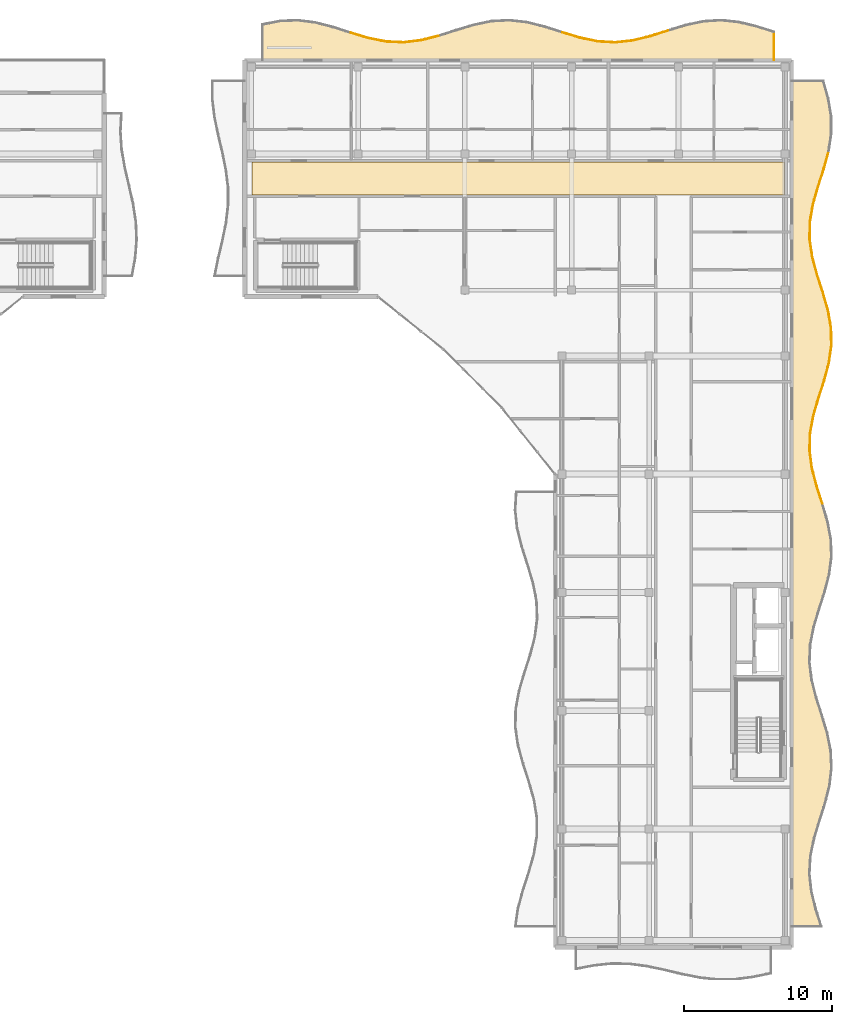
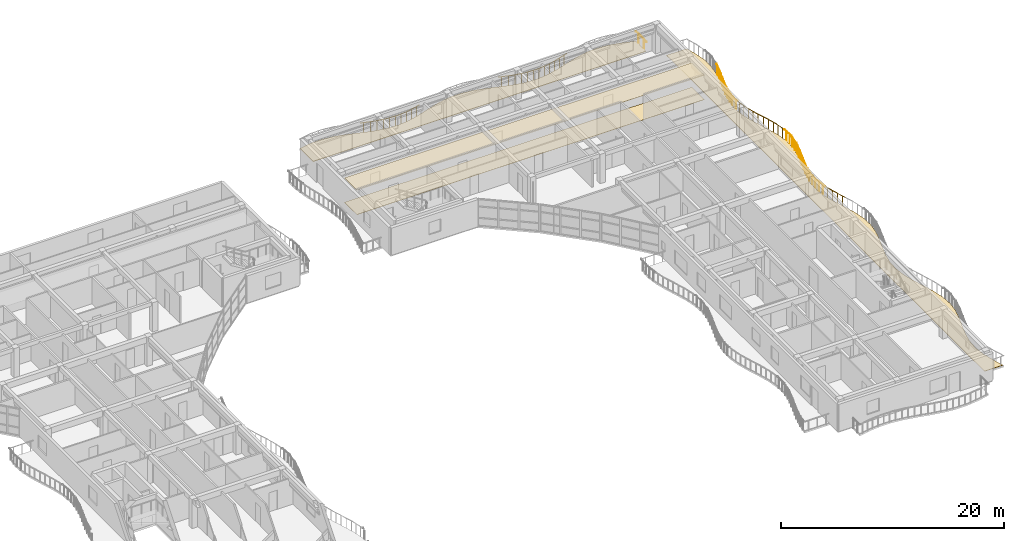
# One storey, part 53 of 54: 32 railings, 4 coverings.
"""IFC4 building model written with IfcOpenShell, lengths in metres."""

from ifc_helpers import new_model, si_unit, direction, frame, origin, origin_2d, place, context, subcontext, project, spatial, polyline, circle, outline, extrude, material, layer, layer_set, type_object, element, save


model = new_model("IFC4")

# Units and contexts
model_context = context("Model", 3, precision=1e-05, world=origin(), true_north=direction((0.0, 1.0)))
body_context = subcontext(model_context, "Body", "Model", "MODEL_VIEW")
ifc_project = project(units=[si_unit("LENGTHUNIT", "METRE"), si_unit("AREAUNIT", "SQUARE_METRE"), si_unit("VOLUMEUNIT", "CUBIC_METRE"), si_unit("PLANEANGLEUNIT", "RADIAN"), si_unit("MASSUNIT", "GRAM", prefix="KILO")], contexts=[model_context])

# Site, building, storey
site_placement = place(None, origin())
site = spatial("IfcSite", under=ifc_project, at=site_placement, CompositionType="ELEMENT")
building_placement = place(site_placement, origin())
building = spatial("IfcBuilding", under=site, at=building_placement, Name="Keldmere Railside Commons", CompositionType="ELEMENT")
storey_placement = place(building_placement, frame((0.0, 0.0, 26.56005859375)))
storey = spatial("IfcBuildingStorey", under=building, at=storey_placement, Name="L08", CompositionType="ELEMENT", Elevation=26.56005859375)

# Railings
ifc_material_1 = material(Name="Steel F-24 (S235)", Category="steel")
railing_type = type_object("IfcRailingType", Name="Balcony & Terrace Steel Balustrade 1100", PredefinedType="BALUSTRADE", material=ifc_material_1)
railing_1_placement = place(storey_placement, frame((154.16552734375, 117.85400390625, 0.0)))
element("IfcRailing", 1, at=railing_1_placement, inside=storey, type_object=railing_type, Name="GR-1 GRD-L08-4093", PredefinedType="BALUSTRADE", context=body_context, shape_type="SweptSolid", body=[
    extrude(circle(Radius=0.02392578125, at=origin_2d()), frame((0.0, 0.0, 1.076171875), z_axis=(0.957993377008, -0.286790323422, 0.0), x_axis=(0.286790323422, 0.957993377008, 0.0)), (0.0, 0.0, 1.0), 1.245361328125),
    extrude(circle(Radius=0.02099609375, at=origin_2d()), frame((0.29833984375, -0.08935546875, 0.0)), (0.0, 0.0, 1.0), 1.048095703125),
    extrude(circle(Radius=0.02099609375, at=origin_2d()), frame((0.894775390625, -0.267822265625, 0.0)), (0.0, 0.0, 1.0), 1.048095703125),
])
railing_2_placement = place(storey_placement, frame((155.358642578125, 117.496826171875, 0.0)))
element("IfcRailing", 2, at=railing_2_placement, inside=storey, type_object=railing_type, Name="GR-1 GRD-L08-4094", PredefinedType="BALUSTRADE", context=body_context, shape_type="SweptSolid", body=[
    extrude(circle(Radius=0.02392578125, at=origin_2d()), frame((0.0, 0.0, 1.076171875), z_axis=(0.980788534345, -0.195073962632, 0.0), x_axis=(0.195073962632, 0.980788534345, 0.0)), (0.0, 0.0, 1.0), 1.216552734375),
    extrude(circle(Radius=0.02099609375, at=origin_2d()), frame((0.29833984375, -0.059326171875, 0.0)), (0.0, 0.0, 1.0), 1.048095703125),
    extrude(circle(Radius=0.02099609375, at=origin_2d()), frame((0.894775390625, -0.177978515625, 0.0)), (0.0, 0.0, 1.0), 1.048095703125),
])
railing_3_placement = place(storey_placement, frame((156.5517578125, 117.259521484375, 0.0)))
element("IfcRailing", 3, at=railing_3_placement, inside=storey, type_object=railing_type, Name="GR-1 GRD-L08-4095", PredefinedType="BALUSTRADE", context=body_context, shape_type="SweptSolid", body=[
    extrude(circle(Radius=0.02392578125, at=origin_2d()), frame((0.0, 0.0, 1.076171875), z_axis=(0.998969804238, -0.045379843778, 0.0), x_axis=(0.045379843778, 0.998969804238, 0.0)), (0.0, 0.0, 1.0), 1.1943359375),
    extrude(circle(Radius=0.02099609375, at=origin_2d()), frame((0.29833984375, -0.013671875, 0.0)), (0.0, 0.0, 1.0), 1.048095703125),
    extrude(circle(Radius=0.02099609375, at=origin_2d()), frame((0.894775390625, -0.04052734375, 0.0)), (0.0, 0.0, 1.0), 1.048095703125),
])
railing_4_placement = place(storey_placement, frame((157.744873046875, 117.205322265625, 0.0)))
element("IfcRailing", 4, at=railing_4_placement, inside=storey, type_object=railing_type, Name="GR-1 GRD-L08-4096", PredefinedType="BALUSTRADE", context=body_context, shape_type="SweptSolid", body=[
    extrude(circle(Radius=0.02392578125, at=origin_2d()), frame((0.0, 0.0, 1.076171875), z_axis=(0.992887409624, 0.119057094749, 0.0), x_axis=(-0.119057094749, 0.992887409624, 0.0)), (0.0, 0.0, 1.0), 1.20166015625),
    extrude(circle(Radius=0.02099609375, at=origin_2d()), frame((0.29833984375, 0.03564453125, 0.0)), (0.0, 0.0, 1.0), 1.048095703125),
    extrude(circle(Radius=0.02099609375, at=origin_2d()), frame((0.894775390625, 0.107421875, 0.0)), (0.0, 0.0, 1.0), 1.048095703125),
])
railing_5_placement = place(storey_placement, frame((158.93798828125, 117.348388671875, 0.0)))
element("IfcRailing", 5, at=railing_5_placement, inside=storey, type_object=railing_type, Name="GR-1 GRD-L08-4097", PredefinedType="BALUSTRADE", context=body_context, shape_type="SweptSolid", body=[
    extrude(circle(Radius=0.02392578125, at=origin_2d()), frame((0.0, 0.0, 1.076171875), z_axis=(0.969379326168, 0.245568161612, 0.0), x_axis=(-0.245568161612, 0.969379326168, 0.0)), (0.0, 0.0, 1.0), 1.230712890625),
    extrude(circle(Radius=0.02099609375, at=origin_2d()), frame((0.29833984375, 0.07568359375, 0.0)), (0.0, 0.0, 1.0), 1.048095703125),
    extrude(circle(Radius=0.02099609375, at=origin_2d()), frame((0.894775390625, 0.2265625, 0.0)), (0.0, 0.0, 1.0), 1.048095703125),
])
railing_6_placement = place(storey_placement, frame((168.48291015625, 117.881103515625, 0.0)))
element("IfcRailing", 6, at=railing_6_placement, inside=storey, type_object=railing_type, Name="GR-1 GRD-L08-4105", PredefinedType="BALUSTRADE", context=body_context, shape_type="SweptSolid", body=[
    extrude(circle(Radius=0.02392578125, at=origin_2d()), frame((0.0, 0.0, 1.076171875), z_axis=(0.956839742457, -0.290616082236, 0.0), x_axis=(0.290616082236, 0.956839742457, 0.0)), (0.0, 0.0, 1.0), 1.24658203125),
    extrude(circle(Radius=0.02099609375, at=origin_2d()), frame((0.29833984375, -0.090576171875, 0.0)), (0.0, 0.0, 1.0), 1.048095703125),
    extrude(circle(Radius=0.02099609375, at=origin_2d()), frame((0.89453125, -0.271728515625, 0.0)), (0.0, 0.0, 1.0), 1.048095703125),
])
railing_7_placement = place(storey_placement, frame((169.67578125, 117.518798828125, 0.0)))
element("IfcRailing", 7, at=railing_7_placement, inside=storey, type_object=railing_type, Name="GR-1 GRD-L08-4106", PredefinedType="BALUSTRADE", context=body_context, shape_type="SweptSolid", body=[
    extrude(circle(Radius=0.02392578125, at=origin_2d()), frame((0.0, 0.0, 1.076171875), z_axis=(0.979065337867, -0.203546221255, 0.0), x_axis=(0.203546221255, 0.979065337867, 0.0)), (0.0, 0.0, 1.0), 1.218505859375),
    extrude(circle(Radius=0.02099609375, at=origin_2d()), frame((0.29833984375, -0.06201171875, 0.0)), (0.0, 0.0, 1.0), 1.048095703125),
    extrude(circle(Radius=0.02099609375, at=origin_2d()), frame((0.894775390625, -0.18603515625, 0.0)), (0.0, 0.0, 1.0), 1.048095703125),
])
railing_8_placement = place(storey_placement, frame((170.868896484375, 117.270751953125, 0.0)))
element("IfcRailing", 8, at=railing_8_placement, inside=storey, type_object=railing_type, Name="GR-1 GRD-L08-4107", PredefinedType="BALUSTRADE", context=body_context, shape_type="SweptSolid", body=[
    extrude(circle(Radius=0.02392578125, at=origin_2d()), frame((0.0, 0.0, 1.076171875), z_axis=(0.99837432512, -0.056997429243, 0.0), x_axis=(0.056997429243, 0.99837432512, 0.0)), (0.0, 0.0, 1.0), 1.195068359375),
    extrude(circle(Radius=0.02099609375, at=origin_2d()), frame((0.29833984375, -0.01708984375, 0.0)), (0.0, 0.0, 1.0), 1.048095703125),
    extrude(circle(Radius=0.02099609375, at=origin_2d()), frame((0.894775390625, -0.051025390625, 0.0)), (0.0, 0.0, 1.0), 1.048095703125),
])
railing_9_placement = place(storey_placement, frame((172.06201171875, 117.20263671875, 0.0)))
element("IfcRailing", 9, at=railing_9_placement, inside=storey, type_object=railing_type, Name="GR-1 GRD-L08-4108", PredefinedType="BALUSTRADE", context=body_context, shape_type="SweptSolid", body=[
    extrude(circle(Radius=0.02392578125, at=origin_2d()), frame((0.0, 0.0, 1.076171875), z_axis=(0.994126872521, 0.108220891381, 0.0), x_axis=(-0.108220891381, 0.994126872521, 0.0)), (0.0, 0.0, 1.0), 1.2001953125),
    extrude(circle(Radius=0.02099609375, at=origin_2d()), frame((0.29833984375, 0.032470703125, 0.0)), (0.0, 0.0, 1.0), 1.048095703125),
    extrude(circle(Radius=0.02099609375, at=origin_2d()), frame((0.894775390625, 0.097412109375, 0.0)), (0.0, 0.0, 1.0), 1.048095703125),
])
railing_10_placement = place(storey_placement, frame((173.255126953125, 117.33251953125, 0.0)))
element("IfcRailing", 10, at=railing_10_placement, inside=storey, type_object=railing_type, Name="GR-1 GRD-L08-4109", PredefinedType="BALUSTRADE", context=body_context, shape_type="SweptSolid", body=[
    extrude(circle(Radius=0.02392578125, at=origin_2d()), frame((0.0, 0.0, 1.076171875), z_axis=(0.971012750518, 0.239027693651, 0.0), x_axis=(-0.239027693651, 0.971012750518, 0.0)), (0.0, 0.0, 1.0), 1.228759765625),
    extrude(circle(Radius=0.02099609375, at=origin_2d()), frame((0.29833984375, 0.073486328125, 0.0)), (0.0, 0.0, 1.0), 1.048095703125),
    extrude(circle(Radius=0.02099609375, at=origin_2d()), frame((0.894775390625, 0.22021484375, 0.0)), (0.0, 0.0, 1.0), 1.048095703125),
])
railing_11_placement = place(storey_placement, frame((174.4482421875, 117.626220703125, 0.0)))
element("IfcRailing", 11, at=railing_11_placement, inside=storey, type_object=railing_type, Name="GR-1 GRD-L08-4110", PredefinedType="BALUSTRADE", context=body_context, shape_type="SweptSolid", body=[
    extrude(circle(Radius=0.02392578125, at=origin_2d()), frame((0.0, 0.0, 1.076171875), z_axis=(0.952979546331, 0.303034625537, 0.0), x_axis=(-0.303034625537, 0.952979546331, 0.0)), (0.0, 0.0, 1.0), 1.251953125),
    extrude(circle(Radius=0.02099609375, at=origin_2d()), frame((0.29833984375, 0.0947265625, 0.0)), (0.0, 0.0, 1.0), 1.048095703125),
    extrude(circle(Radius=0.02099609375, at=origin_2d()), frame((0.894775390625, 0.28466796875, 0.0)), (0.0, 0.0, 1.0), 1.048095703125),
])
railing_12_placement = place(storey_placement, frame((182.800048828125, 117.908203125, 0.0)))
element("IfcRailing", 12, at=railing_12_placement, inside=storey, type_object=railing_type, Name="GR-1 GRD-L08-4117", PredefinedType="BALUSTRADE", context=body_context, shape_type="SweptSolid", body=[
    extrude(circle(Radius=0.02392578125, at=origin_2d()), frame((0.0, 0.0, 1.076171875), z_axis=(0.0, -1.0, 0.0), x_axis=(1.0, 0.0, 0.0)), (0.0, 0.0, 1.0), 1.908203125),
    extrude(circle(Radius=0.02099609375, at=origin_2d()), frame((0.0, -0.47705078125, 0.0)), (0.0, 0.0, 1.0), 1.048095703125),
    extrude(circle(Radius=0.02099609375, at=origin_2d()), frame((0.0, -1.43115234375, 0.0)), (0.0, 0.0, 1.0), 1.048095703125),
])
railing_13_placement = place(storey_placement, frame((186.071044921875, 86.0, 0.0)))
element("IfcRailing", 13, at=railing_13_placement, inside=storey, type_object=railing_type, Name="GR-1 GRD-L08-4169", PredefinedType="BALUSTRADE", context=body_context, shape_type="SweptSolid", body=[
    extrude(circle(Radius=0.02392578125, at=origin_2d()), frame((0.0, 0.0, 1.076171875), z_axis=(-0.306558318384, 0.951851877883, 0.0), x_axis=(-0.951851877883, -0.306558318384, 0.0)), (0.0, 0.0, 1.0), 1.251953125),
    extrude(circle(Radius=0.02099609375, at=origin_2d()), frame((-0.095947265625, 0.2978515625, 0.0)), (0.0, 0.0, 1.0), 1.048095703125),
    extrude(circle(Radius=0.02099609375, at=origin_2d()), frame((-0.287841796875, 0.893798828125, 0.0)), (0.0, 0.0, 1.0), 1.048095703125),
])
railing_14_placement = place(storey_placement, frame((185.687255859375, 87.191650390625, 0.0)))
element("IfcRailing", 14, at=railing_14_placement, inside=storey, type_object=railing_type, Name="GR-1 GRD-L08-4170", PredefinedType="BALUSTRADE", context=body_context, shape_type="SweptSolid", body=[
    extrude(circle(Radius=0.02392578125, at=origin_2d()), frame((0.0, 0.0, 1.076171875), z_axis=(-0.254961331387, 0.966951249804, 0.0), x_axis=(-0.966951249804, -0.254961331387, 0.0)), (0.0, 0.0, 1.0), 1.232421875),
    extrude(circle(Radius=0.02099609375, at=origin_2d()), frame((-0.07861328125, 0.2978515625, 0.0)), (0.0, 0.0, 1.0), 1.048095703125),
    extrude(circle(Radius=0.02099609375, at=origin_2d()), frame((-0.235595703125, 0.893798828125, 0.0)), (0.0, 0.0, 1.0), 1.048095703125),
])
railing_15_placement = place(storey_placement, frame((185.373046875, 88.38330078125, 0.0)))
element("IfcRailing", 15, at=railing_15_placement, inside=storey, type_object=railing_type, Name="GR-1 GRD-L08-4171", PredefinedType="BALUSTRADE", context=body_context, shape_type="SweptSolid", body=[
    extrude(circle(Radius=0.02392578125, at=origin_2d()), frame((0.0, 0.0, 1.076171875), z_axis=(-0.134596803505, 0.990900449332, 0.0), x_axis=(-0.990900449332, -0.134596803505, 0.0)), (0.0, 0.0, 1.0), 1.20263671875),
    extrude(circle(Radius=0.02099609375, at=origin_2d()), frame((-0.04052734375, 0.2978515625, 0.0)), (0.0, 0.0, 1.0), 1.048095703125),
    extrude(circle(Radius=0.02099609375, at=origin_2d()), frame((-0.121337890625, 0.893798828125, 0.0)), (0.0, 0.0, 1.0), 1.048095703125),
])
railing_16_placement = place(storey_placement, frame((185.211181640625, 89.574951171875, 0.0)))
element("IfcRailing", 16, at=railing_16_placement, inside=storey, type_object=railing_type, Name="GR-1 GRD-L08-4172", PredefinedType="BALUSTRADE", context=body_context, shape_type="SweptSolid", body=[
    extrude(circle(Radius=0.02392578125, at=origin_2d()), frame((0.0, 0.0, 1.076171875), z_axis=(0.028056969192, 0.99960632575, 0.0), x_axis=(-0.99960632575, 0.028056969192, 0.0)), (0.0, 0.0, 1.0), 1.192138671875),
    extrude(circle(Radius=0.02099609375, at=origin_2d()), frame((0.00830078125, 0.2978515625, 0.0)), (0.0, 0.0, 1.0), 1.048095703125),
    extrude(circle(Radius=0.02099609375, at=origin_2d()), frame((0.025146484375, 0.893798828125, 0.0)), (0.0, 0.0, 1.0), 1.048095703125),
])
railing_17_placement = place(storey_placement, frame((185.24462890625, 90.7666015625, 0.0)))
element("IfcRailing", 17, at=railing_17_placement, inside=storey, type_object=railing_type, Name="GR-1 GRD-L08-4173", PredefinedType="BALUSTRADE", context=body_context, shape_type="SweptSolid", body=[
    extrude(circle(Radius=0.02392578125, at=origin_2d()), frame((0.0, 0.0, 1.076171875), z_axis=(0.181526497526, 0.983386053743, 0.0), x_axis=(-0.983386053743, 0.181526497526, 0.0)), (0.0, 0.0, 1.0), 1.211669921875),
    extrude(circle(Radius=0.02099609375, at=origin_2d()), frame((0.054931640625, 0.2978515625, 0.0)), (0.0, 0.0, 1.0), 1.048095703125),
    extrude(circle(Radius=0.02099609375, at=origin_2d()), frame((0.1650390625, 0.893798828125, 0.0)), (0.0, 0.0, 1.0), 1.048095703125),
])
railing_18_placement = place(storey_placement, frame((185.464599609375, 91.958251953125, 0.0)))
element("IfcRailing", 18, at=railing_18_placement, inside=storey, type_object=railing_type, Name="GR-1 GRD-L08-4174", PredefinedType="BALUSTRADE", context=body_context, shape_type="SweptSolid", body=[
    extrude(circle(Radius=0.02392578125, at=origin_2d()), frame((0.0, 0.0, 1.076171875), z_axis=(0.28061158597, 0.959821409336, 0.0), x_axis=(-0.959821409336, 0.28061158597, 0.0)), (0.0, 0.0, 1.0), 1.241455078125),
    extrude(circle(Radius=0.02099609375, at=origin_2d()), frame((0.087158203125, 0.2978515625, 0.0)), (0.0, 0.0, 1.0), 1.048095703125),
    extrude(circle(Radius=0.02099609375, at=origin_2d()), frame((0.26123046875, 0.893798828125, 0.0)), (0.0, 0.0, 1.0), 1.048095703125),
])
railing_19_placement = place(storey_placement, frame((185.81298828125, 93.14990234375, 0.0)))
element("IfcRailing", 19, at=railing_19_placement, inside=storey, type_object=railing_type, Name="GR-1 GRD-L08-4175", PredefinedType="BALUSTRADE", context=body_context, shape_type="SweptSolid", body=[
    extrude(circle(Radius=0.02392578125, at=origin_2d()), frame((0.0, 0.0, 1.076171875), z_axis=(0.307031258366, 0.951699430695, 0.0), x_axis=(-0.951699430695, 0.307031258366, 0.0)), (0.0, 0.0, 1.0), 1.25244140625),
    extrude(circle(Radius=0.02099609375, at=origin_2d()), frame((0.09619140625, 0.2978515625, 0.0)), (0.0, 0.0, 1.0), 1.048095703125),
    extrude(circle(Radius=0.02099609375, at=origin_2d()), frame((0.288330078125, 0.89404296875, 0.0)), (0.0, 0.0, 1.0), 1.048095703125),
])
railing_20_placement = place(storey_placement, frame((186.197509765625, 94.341796875, 0.0)))
element("IfcRailing", 20, at=railing_20_placement, inside=storey, type_object=railing_type, Name="GR-1 GRD-L08-4176", PredefinedType="BALUSTRADE", context=body_context, shape_type="SweptSolid", body=[
    extrude(circle(Radius=0.02392578125, at=origin_2d()), frame((0.0, 0.0, 1.076171875), z_axis=(0.25852499333, 0.966004569256, 0.0), x_axis=(-0.966004569256, 0.25852499333, 0.0)), (0.0, 0.0, 1.0), 1.2333984375),
    extrude(circle(Radius=0.02099609375, at=origin_2d()), frame((0.07958984375, 0.2978515625, 0.0)), (0.0, 0.0, 1.0), 1.048095703125),
    extrude(circle(Radius=0.02099609375, at=origin_2d()), frame((0.2392578125, 0.8935546875, 0.0)), (0.0, 0.0, 1.0), 1.048095703125),
])
railing_21_placement = place(storey_placement, frame((186.516357421875, 95.533203125, 0.0)))
element("IfcRailing", 21, at=railing_21_placement, inside=storey, type_object=railing_type, Name="GR-1 GRD-L08-4177", PredefinedType="BALUSTRADE", context=body_context, shape_type="SweptSolid", body=[
    extrude(circle(Radius=0.02392578125, at=origin_2d()), frame((0.0, 0.0, 1.076171875), z_axis=(0.140739930566, 0.990046600895, 0.0), x_axis=(-0.990046600895, 0.140739930566, 0.0)), (0.0, 0.0, 1.0), 1.203857421875),
    extrude(circle(Radius=0.02099609375, at=origin_2d()), frame((0.04248046875, 0.2978515625, 0.0)), (0.0, 0.0, 1.0), 1.048095703125),
    extrude(circle(Radius=0.02099609375, at=origin_2d()), frame((0.126953125, 0.89404296875, 0.0)), (0.0, 0.0, 1.0), 1.048095703125),
])
railing_22_placement = place(storey_placement, frame((186.685791015625, 96.72509765625, 0.0)))
element("IfcRailing", 22, at=railing_22_placement, inside=storey, type_object=railing_type, Name="GR-1 GRD-L08-4178", PredefinedType="BALUSTRADE", context=body_context, shape_type="SweptSolid", body=[
    extrude(circle(Radius=0.02392578125, at=origin_2d()), frame((0.0, 0.0, 1.076171875), z_axis=(-0.021097536261, 0.999777422211, 0.0), x_axis=(-0.999777422211, -0.021097536261, 0.0)), (0.0, 0.0, 1.0), 1.19189453125),
    extrude(circle(Radius=0.02099609375, at=origin_2d()), frame((-0.00634765625, 0.2978515625, 0.0)), (0.0, 0.0, 1.0), 1.048095703125),
    extrude(circle(Radius=0.02099609375, at=origin_2d()), frame((-0.018798828125, 0.893798828125, 0.0)), (0.0, 0.0, 1.0), 1.048095703125),
])
railing_23_placement = place(storey_placement, frame((186.66064453125, 97.916748046875, 0.0)))
element("IfcRailing", 23, at=railing_23_placement, inside=storey, type_object=railing_type, Name="GR-1 GRD-L08-4179", PredefinedType="BALUSTRADE", context=body_context, shape_type="SweptSolid", body=[
    extrude(circle(Radius=0.02392578125, at=origin_2d()), frame((0.0, 0.0, 1.076171875), z_axis=(-0.175867422015, 0.984413861074, 0.0), x_axis=(-0.984413861074, -0.175867422015, 0.0)), (0.0, 0.0, 1.0), 1.21044921875),
    extrude(circle(Radius=0.02099609375, at=origin_2d()), frame((-0.05322265625, 0.2978515625, 0.0)), (0.0, 0.0, 1.0), 1.048095703125),
    extrude(circle(Radius=0.02099609375, at=origin_2d()), frame((-0.15966796875, 0.893798828125, 0.0)), (0.0, 0.0, 1.0), 1.048095703125),
])
railing_24_placement = place(storey_placement, frame((186.44775390625, 99.1083984375, 0.0)))
element("IfcRailing", 24, at=railing_24_placement, inside=storey, type_object=railing_type, Name="GR-1 GRD-L08-4180", PredefinedType="BALUSTRADE", context=body_context, shape_type="SweptSolid", body=[
    extrude(circle(Radius=0.02392578125, at=origin_2d()), frame((0.0, 0.0, 1.076171875), z_axis=(-0.277709194842, 0.960665187826, 0.0), x_axis=(-0.960665187826, -0.277709194842, 0.0)), (0.0, 0.0, 1.0), 1.240478515625),
    extrude(circle(Radius=0.02099609375, at=origin_2d()), frame((-0.086181640625, 0.2978515625, 0.0)), (0.0, 0.0, 1.0), 1.048095703125),
    extrude(circle(Radius=0.02099609375, at=origin_2d()), frame((-0.25830078125, 0.893798828125, 0.0)), (0.0, 0.0, 1.0), 1.048095703125),
])
railing_25_placement = place(storey_placement, frame((186.103271484375, 100.300048828125, 0.0)))
element("IfcRailing", 25, at=railing_25_placement, inside=storey, type_object=railing_type, Name="GR-1 GRD-L08-4181", PredefinedType="BALUSTRADE", context=body_context, shape_type="SweptSolid", body=[
    extrude(circle(Radius=0.02392578125, at=origin_2d()), frame((0.0, 0.0, 1.076171875), z_axis=(-0.307617856701, 0.951509986411, 0.0), x_axis=(-0.951509986411, -0.307617856701, 0.0)), (0.0, 0.0, 1.0), 1.25244140625),
    extrude(circle(Radius=0.02099609375, at=origin_2d()), frame((-0.09619140625, 0.2978515625, 0.0)), (0.0, 0.0, 1.0), 1.048095703125),
    extrude(circle(Radius=0.02099609375, at=origin_2d()), frame((-0.2890625, 0.893798828125, 0.0)), (0.0, 0.0, 1.0), 1.048095703125),
])
railing_26_placement = place(storey_placement, frame((185.718017578125, 101.49169921875, 0.0)))
element("IfcRailing", 26, at=railing_26_placement, inside=storey, type_object=railing_type, Name="GR-1 GRD-L08-4182", PredefinedType="BALUSTRADE", context=body_context, shape_type="SweptSolid", body=[
    extrude(circle(Radius=0.02392578125, at=origin_2d()), frame((0.0, 0.0, 1.076171875), z_axis=(-0.262163705835, 0.965023414919, 0.0), x_axis=(-0.965023414919, -0.262163705835, 0.0)), (0.0, 0.0, 1.0), 1.23486328125),
    extrude(circle(Radius=0.02099609375, at=origin_2d()), frame((-0.0810546875, 0.2978515625, 0.0)), (0.0, 0.0, 1.0), 1.048095703125),
    extrude(circle(Radius=0.02099609375, at=origin_2d()), frame((-0.24267578125, 0.893798828125, 0.0)), (0.0, 0.0, 1.0), 1.048095703125),
])
railing_27_placement = place(storey_placement, frame((185.394287109375, 102.683349609375, 0.0)))
element("IfcRailing", 27, at=railing_27_placement, inside=storey, type_object=railing_type, Name="GR-1 GRD-L08-4183", PredefinedType="BALUSTRADE", context=body_context, shape_type="SweptSolid", body=[
    extrude(circle(Radius=0.02392578125, at=origin_2d()), frame((0.0, 0.0, 1.076171875), z_axis=(-0.146724931067, 0.989177332233, 0.0), x_axis=(-0.989177332233, -0.146724931067, 0.0)), (0.0, 0.0, 1.0), 1.20458984375),
    extrude(circle(Radius=0.02099609375, at=origin_2d()), frame((-0.044189453125, 0.2978515625, 0.0)), (0.0, 0.0, 1.0), 1.048095703125),
    extrude(circle(Radius=0.02099609375, at=origin_2d()), frame((-0.132568359375, 0.893798828125, 0.0)), (0.0, 0.0, 1.0), 1.048095703125),
])
railing_28_placement = place(storey_placement, frame((185.217529296875, 103.875, 0.0)))
element("IfcRailing", 28, at=railing_28_placement, inside=storey, type_object=railing_type, Name="GR-1 GRD-L08-4184", PredefinedType="BALUSTRADE", context=body_context, shape_type="SweptSolid", body=[
    extrude(circle(Radius=0.02392578125, at=origin_2d()), frame((0.0, 0.0, 1.076171875), z_axis=(0.014135035153, 0.9999000954, 0.0), x_axis=(-0.9999000954, 0.014135035153, 0.0)), (0.0, 0.0, 1.0), 1.191650390625),
    extrude(circle(Radius=0.02099609375, at=origin_2d()), frame((0.004150390625, 0.2978515625, 0.0)), (0.0, 0.0, 1.0), 1.048095703125),
    extrude(circle(Radius=0.02099609375, at=origin_2d()), frame((0.0126953125, 0.893798828125, 0.0)), (0.0, 0.0, 1.0), 1.048095703125),
])
railing_29_placement = place(storey_placement, frame((185.234375, 105.066650390625, 0.0)))
element("IfcRailing", 29, at=railing_29_placement, inside=storey, type_object=railing_type, Name="GR-1 GRD-L08-4185", PredefinedType="BALUSTRADE", context=body_context, shape_type="SweptSolid", body=[
    extrude(circle(Radius=0.02392578125, at=origin_2d()), frame((0.0, 0.0, 1.076171875), z_axis=(0.170190856953, 0.985411118371, 0.0), x_axis=(-0.985411118371, 0.170190856953, 0.0)), (0.0, 0.0, 1.0), 1.209228515625),
    extrude(circle(Radius=0.02099609375, at=origin_2d()), frame((0.051513671875, 0.2978515625, 0.0)), (0.0, 0.0, 1.0), 1.048095703125),
    extrude(circle(Radius=0.02099609375, at=origin_2d()), frame((0.154296875, 0.893798828125, 0.0)), (0.0, 0.0, 1.0), 1.048095703125),
])
railing_30_placement = place(storey_placement, frame((185.440185546875, 106.25830078125, 0.0)))
element("IfcRailing", 30, at=railing_30_placement, inside=storey, type_object=railing_type, Name="GR-1 GRD-L08-4186", PredefinedType="BALUSTRADE", context=body_context, shape_type="SweptSolid", body=[
    extrude(circle(Radius=0.02392578125, at=origin_2d()), frame((0.0, 0.0, 1.076171875), z_axis=(0.274799179102, 0.96150164387, 0.0), x_axis=(-0.96150164387, 0.274799179102, 0.0)), (0.0, 0.0, 1.0), 1.2392578125),
    extrude(circle(Radius=0.02099609375, at=origin_2d()), frame((0.085205078125, 0.2978515625, 0.0)), (0.0, 0.0, 1.0), 1.048095703125),
    extrude(circle(Radius=0.02099609375, at=origin_2d()), frame((0.25537109375, 0.893798828125, 0.0)), (0.0, 0.0, 1.0), 1.048095703125),
])
railing_31_placement = place(storey_placement, frame((185.78076171875, 107.449951171875, 0.0)))
element("IfcRailing", 31, at=railing_31_placement, inside=storey, type_object=railing_type, Name="GR-1 GRD-L08-4187", PredefinedType="BALUSTRADE", context=body_context, shape_type="SweptSolid", body=[
    extrude(circle(Radius=0.02392578125, at=origin_2d()), frame((0.0, 0.0, 1.076171875), z_axis=(0.307794335351, 0.951452913772, 0.0), x_axis=(-0.951452913772, 0.307794335351, 0.0)), (0.0, 0.0, 1.0), 1.25244140625),
    extrude(circle(Radius=0.02099609375, at=origin_2d()), frame((0.096435546875, 0.2978515625, 0.0)), (0.0, 0.0, 1.0), 1.048095703125),
    extrude(circle(Radius=0.02099609375, at=origin_2d()), frame((0.2890625, 0.893798828125, 0.0)), (0.0, 0.0, 1.0), 1.048095703125),
])
railing_32_placement = place(storey_placement, frame((186.166259765625, 108.6416015625, 0.0)))
element("IfcRailing", 32, at=railing_32_placement, inside=storey, type_object=railing_type, Name="GR-1 GRD-L08-4188", PredefinedType="BALUSTRADE", context=body_context, shape_type="SweptSolid", body=[
    extrude(circle(Radius=0.02392578125, at=origin_2d()), frame((0.0, 0.0, 1.076171875), z_axis=(0.265473242835, 0.964118227884, 0.0), x_axis=(-0.964118227884, 0.265473242835, 0.0)), (0.0, 0.0, 1.0), 1.236083984375),
    extrude(circle(Radius=0.02099609375, at=origin_2d()), frame((0.08203125, 0.2978515625, 0.0)), (0.0, 0.0, 1.0), 1.048095703125),
    extrude(circle(Radius=0.02099609375, at=origin_2d()), frame((0.24609375, 0.893798828125, 0.0)), (0.0, 0.0, 1.0), 1.048095703125),
])

# Coverings
ifc_material_2 = material(Name="Polished Terrazzo Tile Flooring", Category="concrete")
ifc_layer_1 = layer(ifc_material_2, 0.030029296875, Name="Polished Terrazzo Floor Finish 30")
ifc_layer_set_1 = layer_set([ifc_layer_1], Name="Polished Terrazzo Tile Flooring")
covering_type_1 = type_object("IfcCoveringType", Name="Polished Terrazzo Floor Finish 30", PredefinedType="FLOORING", material=ifc_layer_set_1)
covering_1_placement = place(storey_placement, origin())
element("IfcCovering", 33, at=covering_1_placement, inside=storey, type_object=covering_type_1, Name="FLR-1 Corridor Terrazzo A-L08", PredefinedType="FLOORING", context=body_context, shape_type="SweptSolid", body=[
    extrude(outline(polyline([(147.47998046875, 106.8798828125), (183.52001953125, 106.8798828125), (183.52001953125, 109.1201171875), (147.47998046875, 109.1201171875), (147.47998046875, 106.8798828125)])), origin(), (0.0, 0.0, 1.0), 0.030029296875),
])
ifc_material_3 = material(Name="Acoustic Mineral-Fibre Gypsum Ceiling", Category="gypsum")
ifc_layer_2 = layer(ifc_material_3, 0.02490234375, Name="Suspended Acoustic Ceiling 25")
ifc_layer_set_2 = layer_set([ifc_layer_2], Name="Acoustic Mineral-Fibre Gypsum Ceiling")
covering_type_2 = type_object("IfcCoveringType", Name="Suspended Acoustic Ceiling 25", PredefinedType="CEILING", material=ifc_layer_set_2)
covering_2_placement = place(storey_placement, frame((0.0, 0.0, 2.675048828125)))
element("IfcCovering", 34, at=covering_2_placement, inside=storey, type_object=covering_type_2, Name="CLG-1 Corridor Ceiling A-L08", PredefinedType="CEILING", context=body_context, shape_type="SweptSolid", body=[
    extrude(outline(polyline([(147.47998046875, 106.8798828125), (183.52001953125, 106.8798828125), (183.52001953125, 109.1201171875), (147.47998046875, 109.1201171875), (147.47998046875, 106.8798828125)])), origin(), (0.0, 0.0, 1.0), 0.02490234375),
])
ifc_material_4 = material(Name="White Precast Concrete C35/45", Category="concrete")
ifc_layer_3 = layer(ifc_material_4, 0.044921875, Name="White Architectural Balcony Ribbon Cladding 45")
ifc_layer_set_3 = layer_set([ifc_layer_3], Name="White Precast Concrete C35/45")
covering_type_3 = type_object("IfcCoveringType", Name="White Architectural Balcony Ribbon Cladding 45", PredefinedType="FLOORING", material=ifc_layer_set_3)
covering_3_placement = place(storey_placement, origin())
element("IfcCovering", 35, at=covering_3_placement, inside=storey, type_object=covering_type_3, Name="CLG-WB A L08 N White Balcony Ribbon", PredefinedType="FLOORING", context=body_context, shape_type="SweptSolid", body=[
    extrude(outline(polyline([(182.760009765625, 116.0400390625), (182.760009765625, 117.87890625), (181.59619140625, 118.24755859375), (180.406982421875, 118.535400390625), (179.219970703125, 118.658203125), (178.032958984375, 118.583740234375), (176.844482421875, 118.331298828125), (175.6533203125, 117.96728515625), (174.46044921875, 117.587890625), (174.4580078125, 117.58740234375), (173.264892578125, 117.293701171875), (173.259521484375, 117.292724609375), (172.06640625, 117.162841796875), (172.06298828125, 117.16259765625), (172.059814453125, 117.16259765625), (170.86669921875, 117.230712890625), (170.86376953125, 117.23095703125), (170.86083984375, 117.2314453125), (169.667724609375, 117.4794921875), (169.664306640625, 117.48046875), (168.47119140625, 117.8427734375), (168.470703125, 117.843017578125), (167.27880859375, 118.22314453125), (166.08935546875, 118.520263671875), (164.902099609375, 118.656005859375), (163.71533203125, 118.59521484375), (162.527099609375, 118.353515625), (161.3359375, 117.994140625), (160.143310546875, 117.612548828125), (160.140869140625, 117.61181640625), (158.94775390625, 117.3095703125), (158.942626953125, 117.30859375), (157.74951171875, 117.16552734375), (157.746337890625, 117.165283203125), (157.742919921875, 117.165283203125), (156.5498046875, 117.219482421875), (156.546875, 117.219970703125), (156.5439453125, 117.220458984375), (155.350830078125, 117.457763671875), (155.34716796875, 117.45849609375), (154.154052734375, 117.81591796875), (154.1533203125, 117.81591796875), (152.961181640625, 118.198486328125), (151.771728515625, 118.504150390625), (150.58447265625, 118.65283203125), (149.397705078125, 118.605712890625), (148.239990234375, 118.380859375), (148.239990234375, 116.0400390625), (182.760009765625, 116.0400390625)])), origin(), (0.0, 0.0, 1.0), 0.044921875),
])
covering_4_placement = place(storey_placement, origin())
element("IfcCovering", 36, at=covering_4_placement, inside=storey, type_object=covering_type_3, Name="CLG-WB A L08 CE White Balcony Ribbon", PredefinedType="FLOORING", context=body_context, shape_type="SweptSolid", body=[
    extrude(outline(polyline([(185.5888671875, 58.57958984375), (185.588134765625, 58.58203125), (185.294677734375, 59.773681640625), (185.293701171875, 59.77880859375), (185.1630859375, 60.970703125), (185.162841796875, 60.973876953125), (185.162841796875, 60.977294921875), (185.229736328125, 62.1689453125), (185.22998046875, 62.171875), (185.23046875, 62.1748046875), (185.47705078125, 63.366455078125), (185.47802734375, 63.369873046875), (185.83935546875, 64.5615234375), (185.839599609375, 64.562255859375), (186.219482421875, 65.752685546875), (186.517578125, 66.9404296875), (186.655517578125, 68.126220703125), (186.597412109375, 69.311767578125), (186.358154296875, 70.49853515625), (186.00048828125, 71.68798828125), (185.618896484375, 72.87939453125), (185.6181640625, 72.8818359375), (185.313720703125, 74.073486328125), (185.31298828125, 74.078369140625), (185.16650390625, 75.27001953125), (185.166259765625, 75.2734375), (185.166259765625, 75.276611328125), (185.216552734375, 76.468505859375), (185.216796875, 76.471435546875), (185.21728515625, 76.474365234375), (185.45068359375, 77.666015625), (185.45166015625, 77.669677734375), (185.806884765625, 78.861328125), (185.80712890625, 78.8623046875), (186.189697265625, 80.052978515625), (186.498046875, 81.240966796875), (186.6513671875, 82.427001953125), (186.609619140625, 83.6123046875), (186.3837890625, 84.798828125), (186.03271484375, 85.98828125), (185.649169921875, 87.179443359375), (185.6484375, 87.181396484375), (185.334228515625, 88.373046875), (185.33349609375, 88.3779296875), (185.171630859375, 89.569580078125), (185.17138671875, 89.572998046875), (185.171142578125, 89.576171875), (185.20458984375, 90.767822265625), (185.204833984375, 90.77099609375), (185.205322265625, 90.77392578125), (185.42529296875, 91.965576171875), (185.42626953125, 91.969482421875), (185.7744140625, 93.1611328125), (185.77490234375, 93.162353515625), (186.158935546875, 94.35302734375), (186.47705078125, 95.541259765625), (186.645751953125, 96.727294921875), (186.620849609375, 97.91259765625), (186.40869140625, 99.09912109375), (186.06494140625, 100.288330078125), (185.679931640625, 101.4794921875), (185.679443359375, 101.481201171875), (185.355712890625, 102.6728515625), (185.354736328125, 102.677490234375), (185.177978515625, 103.869140625), (185.177490234375, 103.872314453125), (185.177490234375, 103.87548828125), (185.1943359375, 105.0673828125), (185.194580078125, 105.0703125), (185.19482421875, 105.073486328125), (185.40087890625, 106.26513671875), (185.401611328125, 106.269287109375), (185.7421875, 107.4609375), (185.74267578125, 107.46240234375), (186.1279296875, 108.6533203125), (186.455322265625, 109.841796875), (186.638916015625, 111.02783203125), (186.630615234375, 112.213134765625), (186.4326171875, 113.3994140625), (186.104736328125, 114.56005859375), (184.0400390625, 114.56005859375), (184.0400390625, 57.43994140625), (185.951416015625, 57.43994140625), (185.5888671875, 58.57958984375)])), origin(), (0.0, 0.0, 1.0), 0.044921875),
])

save(model, "model.ifc")
